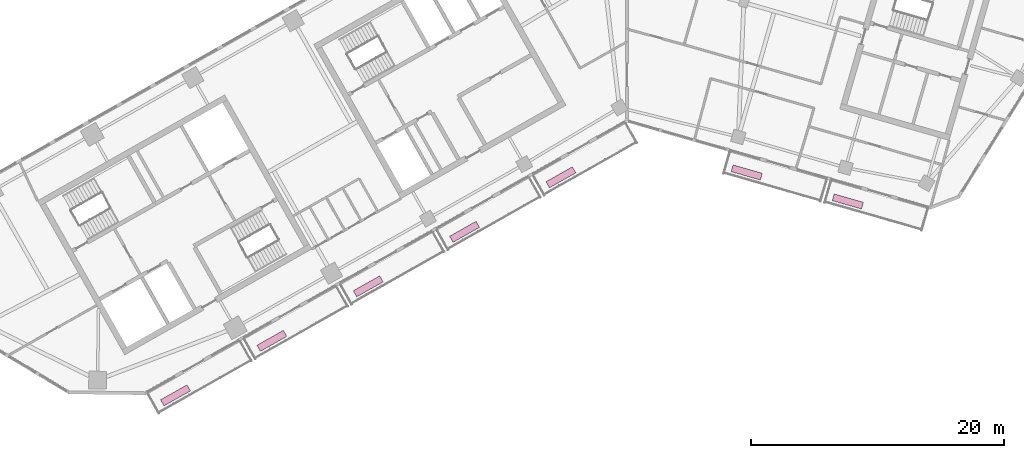
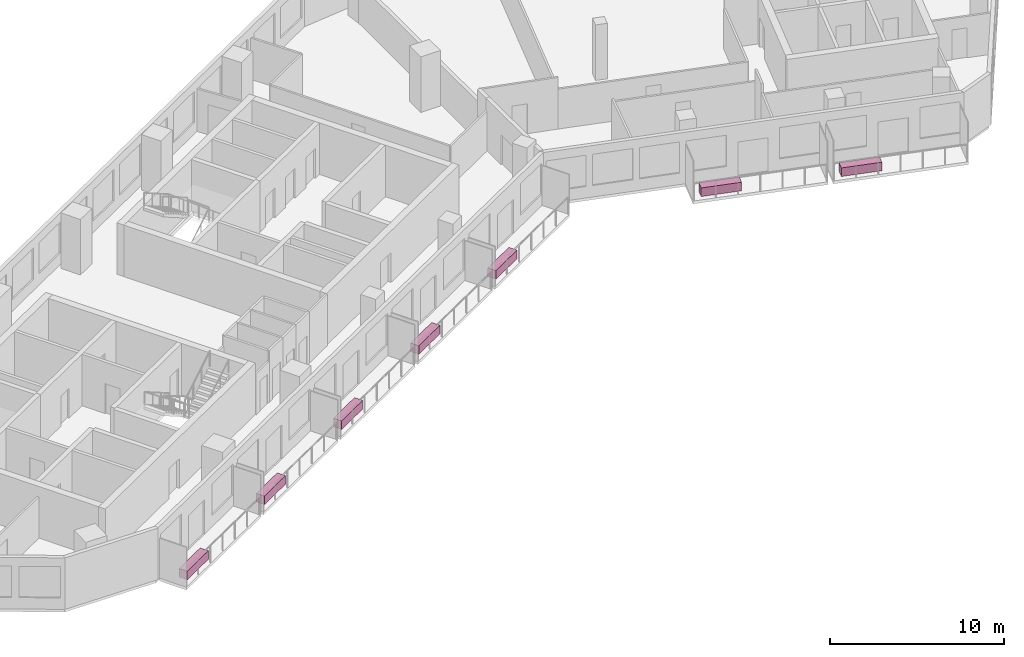
# One storey, part 12 of 12: 7 furnishings.
"""IFC4 building model written with IfcOpenShell, lengths in metres."""

from ifc_helpers import new_model, si_unit, direction, frame, origin, origin_2d, place, context, subcontext, project, spatial, rectangle, extrude, material, type_object, element, save


model = new_model("IFC4")

# Units and contexts
model_context = context("Model", 3, precision=1e-05, world=origin(), true_north=direction((0.0, 1.0)))
body_context = subcontext(model_context, "Body", "Model", "MODEL_VIEW")
ifc_project = project(units=[si_unit("LENGTHUNIT", "METRE"), si_unit("AREAUNIT", "SQUARE_METRE"), si_unit("VOLUMEUNIT", "CUBIC_METRE"), si_unit("PLANEANGLEUNIT", "RADIAN"), si_unit("MASSUNIT", "GRAM", prefix="KILO")], contexts=[model_context])

# Site, building, storey
site_placement = place(None, origin())
site = spatial("IfcSite", under=ifc_project, at=site_placement, CompositionType="ELEMENT")
building_placement = place(site_placement, origin())
building = spatial("IfcBuilding", under=site, at=building_placement, Name="Binnacle Exchange Tower", CompositionType="ELEMENT")
storey_placement = place(building_placement, frame((0.0, 0.0, 250.39990234375)))
storey = spatial("IfcBuildingStorey", under=building, at=storey_placement, Name="L55", CompositionType="ELEMENT", Elevation=250.39990234375)

# Furnishings
ifc_material = material(Name="Concrete C35/45", Category="concrete")
furnishing_element_type = type_object("IfcFurnishingElementType", Name="PLANTER 2400x550x600", material=ifc_material)
for number, where, z_axis, x_axis, name in (
    (1, (-35.698486328125, 26.2861328125, 0.0), (0.0, 0.0, 1.0), (0.87035569594, 0.492423560103, 0.0), "Planter G01-B00a L55"),
    (2, (-28.078857421875, 30.59716796875, 0.0), (0.0, 0.0, 1.0), (0.87035569594, 0.492423560103, 0.0), "Planter G01-B01a L55"),
    (3, (-20.459228515625, 34.908203125, 0.0), (0.0, 0.0, 1.0), (0.87035569594, 0.492423560103, 0.0), "Planter G01-B02a L55"),
    (4, (-12.839599609375, 39.218994140625, 0.0), (0.0, 0.0, 1.0), (0.87035569594, 0.492423560103, 0.0), "Planter G01-B03a L55"),
    (5, (-5.22021484375, 43.530029296875, 0.0), (0.0, 0.0, 1.0), (0.87035569594, 0.492423560103, 0.0), "Planter G01-B04a L55"),
    (6, (9.474609375, 43.909912109375, 0.0), (0.0, 0.0, 1.0), (0.961261695938, -0.275637355817, 0.0), "Planter G02-B01a L55"),
    (7, (17.47265625, 41.61669921875, 0.0), (0.0, 0.0, 1.0), (0.961261695938, -0.275637355817, 0.0), "Planter G02-B02a L55"),
):
    element("IfcFurnishingElement", number, at=place(storey_placement, frame(where, z_axis=z_axis, x_axis=x_axis)), inside=storey, type_object=furnishing_element_type, Name=name, ObjectType="PLANTER", context=body_context, shape_type="SweptSolid", body=[
        extrude(rectangle(XDim=2.39990234375, YDim=0.550048828125, at=origin_2d()), origin(), (0.0, 0.0, 1.0), 0.60009765625),
    ])

save(model, "model.ifc")
